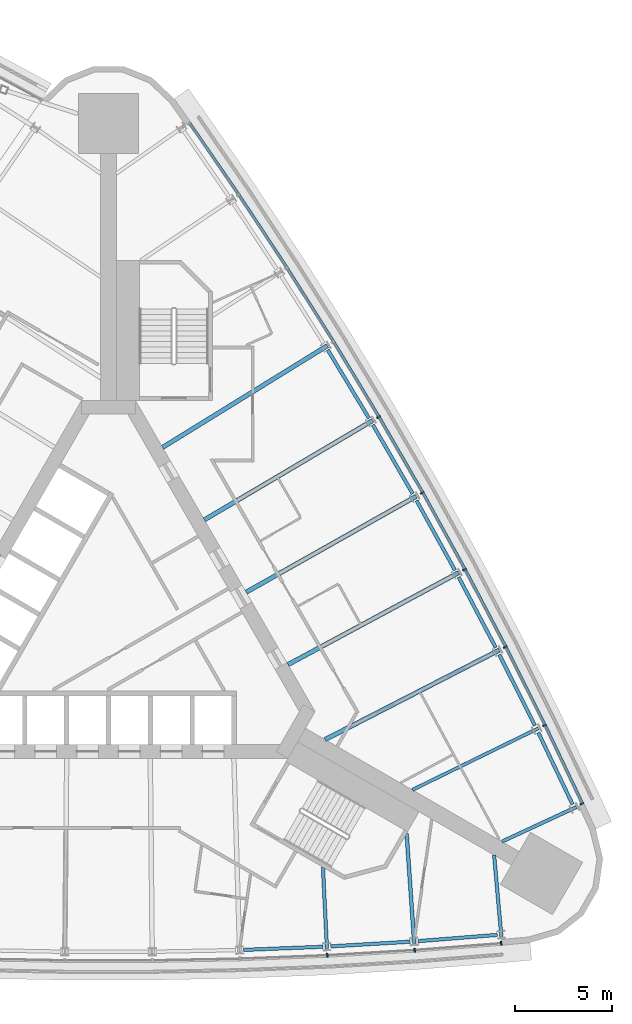
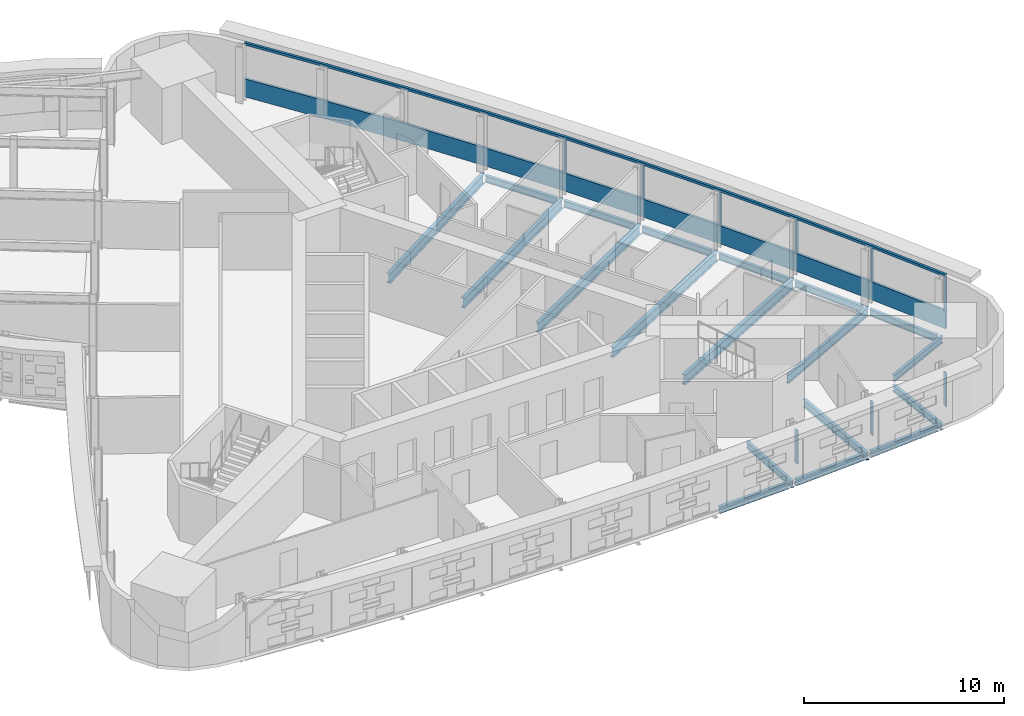
# One storey, part 7 of 17: 19 beams, 11 members, 2 elements without a shape of their own.
"""IFC4 building model written with IfcOpenShell, lengths in metres."""

from ifc_helpers import new_model, si_unit, direction, frame, origin, origin_2d, place, context, subcontext, project, spatial, polyline, rectangle, i_section, outline, extrude, material, material_profile, profile_set, type_object, element, aggregate, save


model = new_model("IFC4")

# Units and contexts
model_context = context("Model", 3, precision=1e-05, world=origin(), true_north=direction((0.0, 1.0)))
body_context = subcontext(model_context, "Body", "Model", "MODEL_VIEW")
ifc_project = project(units=[si_unit("LENGTHUNIT", "METRE"), si_unit("AREAUNIT", "SQUARE_METRE"), si_unit("VOLUMEUNIT", "CUBIC_METRE"), si_unit("PLANEANGLEUNIT", "RADIAN"), si_unit("MASSUNIT", "GRAM", prefix="KILO")], contexts=[model_context])

# Site, building, storey
site_placement = place(None, origin())
site = spatial("IfcSite", under=ifc_project, at=site_placement, CompositionType="ELEMENT")
building_placement = place(site_placement, origin())
building = spatial("IfcBuilding", under=site, at=building_placement, Name="Noor Cloister Tower", CompositionType="ELEMENT")
storey_placement = place(building_placement, frame((0.0, 0.0, 102.300048828125)))
storey = spatial("IfcBuildingStorey", under=building, at=storey_placement, Name="L26", CompositionType="ELEMENT", Elevation=102.300048828125)

# Curtain wall, member
ifc_material_1 = material(Name="Aluminium 6063-T6 anodised", Category="aluminium")
curtain_wall_type = type_object("IfcCurtainWallType", Name="Ribbon curtain wall, lower tower CW1", PredefinedType="NOTDEFINED", material=ifc_material_1)
curtain_wall_1_placement = place(storey_placement, origin())
curtain_wall_1 = element("IfcCurtainWall", 1, at=curtain_wall_1_placement, inside=storey, type_object=curtain_wall_type, Name="CW1 L26 NE run 4", PredefinedType="NOTDEFINED")
ifc_material_2 = material(Name="Aluminium 6063-T6 anodised", Category="aluminium")
member_type_1 = type_object("IfcMemberType", Name="Head transom CW1 150", PredefinedType="USERDEFINED", material=ifc_material_2)
member_1_placement = place(storey_placement, frame((0.0, 0.0, 3.14990234375)))
member_1 = element("IfcMember", 2, at=member_1_placement, type_object=member_type_1, Name="CW1 head transom", ObjectType="TRANSOM", PredefinedType="USERDEFINED", context=body_context, shape_type="SweptSolid", body=[
    extrude(outline(polyline([(24.42822265625, -9.24853515625), (22.49169921875, -5.1865234375), (20.475830078125, -1.16357421875), (18.380859375, 2.819091796875), (16.2080078125, 6.759765625), (13.9580078125, 10.65673828125), (11.6318359375, 14.5087890625), (9.230224609375, 18.314208984375), (6.754150390625, 22.07177734375), (4.204833984375, 25.77978515625), (4.08935546875, 25.700439453125), (6.63818359375, 21.993408203125), (9.112548828125, 18.23828125), (11.5126953125, 14.435302734375), (13.83740234375, 10.58544921875), (16.086181640625, 6.69091796875), (18.257568359375, 2.752685546875), (20.35107421875, -1.2275390625), (22.365966796875, -5.248046875), (24.302001953125, -9.30859375), (24.42822265625, -9.24853515625)])), origin(), (0.0, 0.0, 1.0), 0.150146484375),
])

# Curtain wall, members
curtain_wall_2_placement = place(storey_placement, origin())
curtain_wall_2 = element("IfcCurtainWall", 3, at=curtain_wall_2_placement, inside=storey, type_object=curtain_wall_type, Name="CW1 L26 S run 3", PredefinedType="NOTDEFINED")
ifc_material_3 = material(Name="Aluminium 6063-T6 anodised", Category="aluminium")
ifc_material_profile_1 = material_profile(ifc_material_3, rectangle(XDim=0.199951171875, YDim=0.080078125, at=origin_2d()), Name="200 x 80 mullion")
ifc_profile_set_1 = profile_set([ifc_material_profile_1], Name="Aluminium 6063-T6 anodised")
member_type_2 = type_object("IfcMemberType", Name="Mullion CW1 80 x 200", PredefinedType="MULLION", material=ifc_profile_set_1)
member_2_placement = place(storey_placement, frame((11.240478515625, -17.05078125, 1.099853515625), z_axis=(0.0, 0.0, 1.0), x_axis=(-0.049188322705, 0.998789521826, 0.0)))
member_2 = element("IfcMember", 4, at=member_2_placement, type_object=member_type_2, Name="CW1 mullion 8", PredefinedType="MULLION", context=body_context, shape_type="SweptSolid", body=[
    extrude(rectangle(XDim=0.199951171875, YDim=0.080078125, at=origin_2d()), origin(), (0.0, 0.0, 1.0), 2.050048828125),
])
member_3_placement = place(storey_placement, frame((15.730712890625, -16.785400390625, 1.099853515625), z_axis=(0.0, 0.0, 1.0), x_axis=(-0.068836981101, 0.997627921639, 0.0)))
member_3 = element("IfcMember", 5, at=member_3_placement, type_object=member_type_2, Name="CW1 mullion 9", PredefinedType="MULLION", context=body_context, shape_type="SweptSolid", body=[
    extrude(rectangle(XDim=0.199951171875, YDim=0.080078125, at=origin_2d()), origin(), (0.0, 0.0, 1.0), 2.050048828125),
])
member_4_placement = place(storey_placement, frame((20.17578125, -16.434814453125, 1.099853515625), z_axis=(0.0, 0.0, 1.0), x_axis=(-0.078651776212, 0.996902150714, 0.0)))
member_4 = element("IfcMember", 6, at=member_4_placement, type_object=member_type_2, Name="CW1 mullion 10", PredefinedType="MULLION", context=body_context, shape_type="SweptSolid", body=[
    extrude(rectangle(XDim=0.199951171875, YDim=0.080078125, at=origin_2d()), origin(), (0.0, 0.0, 1.0), 2.050048828125),
])
aggregate(curtain_wall_2, [member_2, member_3, member_4])

# Member
member_5_placement = place(storey_placement, frame((24.32080078125, -9.25537109375, 1.099853515625), z_axis=(0.0, 0.0, 1.0), x_axis=(-0.902668475712, -0.430336639105, 0.0)))
member_5 = element("IfcMember", 7, at=member_5_placement, type_object=member_type_2, Name="CW1 mullion 1", PredefinedType="MULLION", context=body_context, shape_type="SweptSolid", body=[
    extrude(rectangle(XDim=0.199951171875, YDim=0.080078125, at=origin_2d()), origin(), (0.0, 0.0, 1.0), 2.050048828125),
])

member_6_placement = place(storey_placement, frame((22.40185546875, -5.23046875, 1.099853515625), z_axis=(0.0, 0.0, 1.0), x_axis=(-0.898389614214, -0.439199386466, 0.0)))
member_6 = element("IfcMember", 8, at=member_6_placement, type_object=member_type_2, Name="CW1 mullion 2", PredefinedType="MULLION", context=body_context, shape_type="SweptSolid", body=[
    extrude(rectangle(XDim=0.199951171875, YDim=0.080078125, at=origin_2d()), origin(), (0.0, 0.0, 1.0), 2.050048828125),
])

member_7_placement = place(storey_placement, frame((20.38671875, -1.209228515625, 1.099853515625), z_axis=(0.0, 0.0, 1.0), x_axis=(-0.889571260287, -0.456796423881, 0.0)))
member_7 = element("IfcMember", 9, at=member_7_placement, type_object=member_type_2, Name="CW1 mullion 3", PredefinedType="MULLION", context=body_context, shape_type="SweptSolid", body=[
    extrude(rectangle(XDim=0.199951171875, YDim=0.080078125, at=origin_2d()), origin(), (0.0, 0.0, 1.0), 2.050048828125),
])

member_8_placement = place(storey_placement, frame((18.292724609375, 2.771728515625, 1.099853515625), z_axis=(0.0, 0.0, 1.0), x_axis=(-0.880408277748, -0.474216474275, 0.0)))
member_8 = element("IfcMember", 10, at=member_8_placement, type_object=member_type_2, Name="CW1 mullion 4", PredefinedType="MULLION", context=body_context, shape_type="SweptSolid", body=[
    extrude(rectangle(XDim=0.199951171875, YDim=0.080078125, at=origin_2d()), origin(), (0.0, 0.0, 1.0), 2.050048828125),
])

member_9_placement = place(storey_placement, frame((16.120849609375, 6.71044921875, 1.099853515625), z_axis=(0.0, 0.0, 1.0), x_axis=(-0.87090420026, -0.491452819678, 0.0)))
member_9 = element("IfcMember", 11, at=member_9_placement, type_object=member_type_2, Name="CW1 mullion 5", PredefinedType="MULLION", context=body_context, shape_type="SweptSolid", body=[
    extrude(rectangle(XDim=0.199951171875, YDim=0.080078125, at=origin_2d()), origin(), (0.0, 0.0, 1.0), 2.050048828125),
])

member_10_placement = place(storey_placement, frame((13.8720703125, 10.60595703125, 1.099853515625), z_axis=(0.0, 0.0, 1.0), x_axis=(-0.861062726733, -0.508498751848, 0.0)))
member_10 = element("IfcMember", 12, at=member_10_placement, type_object=member_type_2, Name="CW1 mullion 6", PredefinedType="MULLION", context=body_context, shape_type="SweptSolid", body=[
    extrude(rectangle(XDim=0.199951171875, YDim=0.080078125, at=origin_2d()), origin(), (0.0, 0.0, 1.0), 2.050048828125),
])

# Beams
ifc_material_4 = material(Name="Steel ASTM A992 Gr 50", Category="steel")
ifc_material_profile_2 = material_profile(ifc_material_4, i_section(OverallWidth=0.177978515625, OverallDepth=0.406005859375, WebThickness=0.0078125, FlangeThickness=0.0126953125, FilletRadius=0.01025390625, at=origin_2d()), Name="W410x60")
ifc_profile_set_2 = profile_set([ifc_material_profile_2], Name="Steel ASTM A992 Gr 50")
beam_type_1 = type_object("IfcBeamType", Name="Radial beam W410x60", PredefinedType="BEAM", material=ifc_profile_set_2)
beam_1_placement = place(storey_placement, frame((11.223388671875, -16.701904296875, -0.403076171875), z_axis=(-0.049178201451, 0.998790020225, 0.0), x_axis=(-0.998790020225, -0.049178201451, 0.0)))
element("IfcBeam", 13, at=beam_1_placement, inside=storey, type_object=beam_type_1, Name="Radial beam S 08 L26", PredefinedType="BEAM", context=body_context, shape_type="SweptSolid", body=[
    extrude(i_section(OverallWidth=0.177978515625, OverallDepth=0.406005859375, WebThickness=0.0078125, FlangeThickness=0.0126953125, FilletRadius=0.01025390625, at=origin_2d()), origin(), (0.0, 0.0, 1.0), 4.18505859375),
])
beam_2_placement = place(storey_placement, frame((20.183837890625, -16.08349609375, -0.403076171875), z_axis=(-0.088480829531, 0.99607787989, 0.0), x_axis=(-0.99607787989, -0.088480829531, 0.0)))
element("IfcBeam", 14, at=beam_2_placement, inside=storey, type_object=beam_type_1, Name="Radial beam S 10 L26", PredefinedType="BEAM", context=body_context, shape_type="SweptSolid", body=[
    extrude(i_section(OverallWidth=0.177978515625, OverallDepth=0.406005859375, WebThickness=0.0078125, FlangeThickness=0.0126953125, FilletRadius=0.01025390625, at=origin_2d()), origin(), (0.0, 0.0, 1.0), 4.199462890625),
])
beam_3_placement = place(storey_placement, frame((24.0205078125, -9.43798828125, -0.403076171875), z_axis=(-0.906851874526, -0.421449495989, 0.0), x_axis=(0.421449495989, -0.906851874526, 0.0)))
element("IfcBeam", 15, at=beam_3_placement, inside=storey, type_object=beam_type_1, Name="Radial beam NE 01 L26", PredefinedType="BEAM", context=body_context, shape_type="SweptSolid", body=[
    extrude(i_section(OverallWidth=0.177978515625, OverallDepth=0.406005859375, WebThickness=0.0078125, FlangeThickness=0.0126953125, FilletRadius=0.01025390625, at=origin_2d()), origin(), (0.0, 0.0, 1.0), 4.19921875),
])
ifc_material_5 = material(Name="Steel ASTM A992 Gr 50", Category="steel")
ifc_material_profile_3 = material_profile(ifc_material_5, i_section(OverallWidth=0.19091796875, OverallDepth=0.45703125, WebThickness=0.009033203125, FlangeThickness=0.014404296875, FilletRadius=0.01025390625, at=origin_2d()), Name="W460x74")
ifc_profile_set_3 = profile_set([ifc_material_profile_3], Name="Steel ASTM A992 Gr 50")
beam_type_2 = type_object("IfcBeamType", Name="Radial beam W460x74", PredefinedType="BEAM", material=ifc_profile_set_3)
beam_4_placement = place(storey_placement, frame((15.70654296875, -16.436767578125, -0.428466796875), z_axis=(-0.068806527571, 0.997630022485, 0.0), x_axis=(-0.997630022485, -0.068806527571, 0.0)))
element("IfcBeam", 16, at=beam_4_placement, inside=storey, type_object=beam_type_2, Name="Radial beam S 09 L26", PredefinedType="BEAM", context=body_context, shape_type="SweptSolid", body=[
    extrude(i_section(OverallWidth=0.19091796875, OverallDepth=0.45703125, WebThickness=0.009033203125, FlangeThickness=0.014404296875, FilletRadius=0.01025390625, at=origin_2d()), origin(), (0.0, 0.0, 1.0), 5.66650390625),
])
ifc_material_6 = material(Name="Steel ASTM A992 Gr 50", Category="steel")
ifc_material_profile_4 = material_profile(ifc_material_6, i_section(OverallWidth=0.166015625, OverallDepth=0.528076171875, WebThickness=0.009765625, FlangeThickness=0.013671875, FilletRadius=0.0126953125, at=origin_2d()), Name="W530x74")
ifc_profile_set_4 = profile_set([ifc_material_profile_4], Name="Steel ASTM A992 Gr 50")
beam_type_3 = type_object("IfcBeamType", Name="Radial beam W530x74", PredefinedType="BEAM", material=ifc_profile_set_4)
beam_5_placement = place(storey_placement, frame((22.087890625, -5.384033203125, -0.464111328125), z_axis=(-0.898387033035, -0.439204666271, 0.0), x_axis=(0.439204666271, -0.898387033035, 0.0)))
element("IfcBeam", 17, at=beam_5_placement, inside=storey, type_object=beam_type_3, Name="Radial beam NE 02 L26", PredefinedType="BEAM", context=body_context, shape_type="SweptSolid", body=[
    extrude(i_section(OverallWidth=0.166015625, OverallDepth=0.528076171875, WebThickness=0.009765625, FlangeThickness=0.013671875, FilletRadius=0.0126953125, at=origin_2d()), origin(), (0.0, 0.0, 1.0), 7.210205078125),
])
ifc_material_7 = material(Name="Steel ASTM A992 Gr 50", Category="steel")
ifc_material_profile_5 = material_profile(ifc_material_7, i_section(OverallWidth=0.22802734375, OverallDepth=0.60205078125, WebThickness=0.010498046875, FlangeThickness=0.014892578125, FilletRadius=0.0126953125, at=origin_2d()), Name="W610x101")
ifc_profile_set_5 = profile_set([ifc_material_profile_5], Name="Steel ASTM A992 Gr 50")
beam_type_4 = type_object("IfcBeamType", Name="Radial beam W610x101", PredefinedType="BEAM", material=ifc_profile_set_5)
beam_6_placement = place(storey_placement, frame((20.075927734375, -1.368896484375, -0.5009765625), z_axis=(-0.889579280907, -0.456780804085, 0.0), x_axis=(0.456780804085, -0.889579280907, 0.0)))
element("IfcBeam", 18, at=beam_6_placement, inside=storey, type_object=beam_type_4, Name="Radial beam NE 03 L26", PredefinedType="BEAM", context=body_context, shape_type="SweptSolid", body=[
    extrude(i_section(OverallWidth=0.22802734375, OverallDepth=0.60205078125, WebThickness=0.010498046875, FlangeThickness=0.014892578125, FilletRadius=0.0126953125, at=origin_2d()), origin(), (0.0, 0.0, 1.0), 10.057861328125),
])
beam_7_placement = place(storey_placement, frame((17.985107421875, 2.60595703125, -0.5009765625), z_axis=(-0.880406516163, -0.474219744736, 0.0), x_axis=(0.474219744736, -0.880406516163, 0.0)))
element("IfcBeam", 19, at=beam_7_placement, inside=storey, type_object=beam_type_4, Name="Radial beam NE 04 L26", PredefinedType="BEAM", context=body_context, shape_type="SweptSolid", body=[
    extrude(i_section(OverallWidth=0.22802734375, OverallDepth=0.60205078125, WebThickness=0.010498046875, FlangeThickness=0.014892578125, FilletRadius=0.0126953125, at=origin_2d()), origin(), (0.0, 0.0, 1.0), 9.95458984375),
])
for number, where, z_axis, x_axis, name in (
    (20, (15.816650390625, 6.538818359375, -0.5009765625), (-0.870901874431, -0.491456941259, 0.0), (0.491456941259, -0.870901874431, 0.0), "Radial beam NE 05 L26"),
    (21, (13.571044921875, 10.42822265625, -0.5009765625), (-0.86106399039, -0.508496612038, 0.0), (0.508496612038, -0.86106399039, 0.0), "Radial beam NE 06 L26"),
):
    element("IfcBeam", number, at=place(storey_placement, frame(where, z_axis=z_axis, x_axis=x_axis)), inside=storey, type_object=beam_type_4, Name=name, PredefinedType="BEAM", context=body_context, shape_type="SweptSolid", body=[
        extrude(i_section(OverallWidth=0.22802734375, OverallDepth=0.60205078125, WebThickness=0.010498046875, FlangeThickness=0.014892578125, FilletRadius=0.0126953125, at=origin_2d()), origin(), (0.0, 0.0, 1.0), 10.039306640625),
    ])
beam_8_placement = place(storey_placement, frame((11.249267578125, 14.272705078125, -0.5009765625), z_axis=(-0.850881836439, -0.525357117034, 0.0), x_axis=(0.525357117034, -0.850881836439, 0.0)))
element("IfcBeam", 22, at=beam_8_placement, inside=storey, type_object=beam_type_4, Name="Radial beam NE 07 L26", PredefinedType="BEAM", context=body_context, shape_type="SweptSolid", body=[
    extrude(i_section(OverallWidth=0.22802734375, OverallDepth=0.60205078125, WebThickness=0.010498046875, FlangeThickness=0.014892578125, FilletRadius=0.0126953125, at=origin_2d()), origin(), (0.0, 0.0, 1.0), 9.95458984375),
])

# Member
ifc_material_8 = material(Name="Aluminium 6063-T6 anodised", Category="aluminium")
member_type_3 = type_object("IfcMemberType", Name="Sill transom CW1 1100", PredefinedType="USERDEFINED", material=ifc_material_8)
member_11_placement = place(storey_placement, origin())
member_11 = element("IfcMember", 23, at=member_11_placement, type_object=member_type_3, Name="CW1 sill transom", ObjectType="TRANSOM", PredefinedType="USERDEFINED", context=body_context, shape_type="SweptSolid", body=[
    extrude(outline(polyline([(24.42822265625, -9.24853515625), (22.49169921875, -5.1865234375), (20.475830078125, -1.16357421875), (18.380859375, 2.819091796875), (16.2080078125, 6.759765625), (13.9580078125, 10.65673828125), (11.6318359375, 14.5087890625), (9.230224609375, 18.314208984375), (6.754150390625, 22.07177734375), (4.204833984375, 25.77978515625), (4.08935546875, 25.700439453125), (6.63818359375, 21.993408203125), (9.112548828125, 18.23828125), (11.5126953125, 14.435302734375), (13.83740234375, 10.58544921875), (16.086181640625, 6.69091796875), (18.257568359375, 2.752685546875), (20.35107421875, -1.2275390625), (22.365966796875, -5.248046875), (24.302001953125, -9.30859375), (24.42822265625, -9.24853515625)])), origin(), (0.0, 0.0, 1.0), 1.099853515625),
])

aggregate(curtain_wall_1, [member_5, member_6, member_7, member_8, member_9, member_10, member_11, member_1])

# Beams
ifc_material_9 = material(Name="Steel ASTM A992 Gr 50", Category="steel")
ifc_material_profile_6 = material_profile(ifc_material_9, i_section(OverallWidth=0.177978515625, OverallDepth=0.406005859375, WebThickness=0.0078125, FlangeThickness=0.0126953125, FilletRadius=0.01025390625, at=origin_2d()), Name="W410x60")
ifc_profile_set_6 = profile_set([ifc_material_profile_6], Name="Steel ASTM A992 Gr 50")
beam_type_5 = type_object("IfcBeamType", Name="Spandrel beam W410x60", PredefinedType="SPANDREL", material=ifc_profile_set_6)
for number, where, z_axis, x_axis, name in (
    (24, (6.93310546875, -16.770263671875, -0.403076171875), (0.999225288123, 0.039355095916, 0.0), (-0.039355095916, 0.999225288123, 0.0), "Spandrel beam S 07 L26"),
    (25, (11.41845703125, -16.589599609375, -0.403076171875), (0.998257859765, 0.059002079771, 0.0), (-0.059002079771, 0.998257859765, 0.0), "Spandrel beam S 08 L26"),
    (26, (15.899658203125, -16.32080078125, -0.403076171875), (0.996902216322, 0.078650944641, 0.0), (-0.078650944641, 0.996902216322, 0.0), "Spandrel beam S 09 L26"),
    (27, (23.84326171875, -9.29931640625, -0.403076171875), (-0.430341530423, 0.902666143817, 0.0), (-0.902666143817, -0.430341530423, 0.0), "Spandrel beam NE 01 L26"),
    (28, (21.90771484375, -5.248779296875, -0.403076171875), (-0.448025614309, 0.894020720634, 0.0), (-0.894020720634, -0.448025614309, 0.0), "Spandrel beam NE 02 L26"),
    (29, (19.89306640625, -1.2373046875, -0.403076171875), (-0.465512591223, 0.885041257464, 0.0), (-0.885041257464, -0.465512591223, 0.0), "Spandrel beam NE 03 L26"),
):
    element("IfcBeam", number, at=place(storey_placement, frame(where, z_axis=z_axis, x_axis=x_axis)), inside=storey, type_object=beam_type_5, Name=name, PredefinedType="SPANDREL", context=body_context, shape_type="SweptSolid", body=[
        extrude(i_section(OverallWidth=0.177978515625, OverallDepth=0.406005859375, WebThickness=0.0078125, FlangeThickness=0.0126953125, FilletRadius=0.01025390625, at=origin_2d()), origin(), (0.0, 0.0, 1.0), 4.088134765625),
    ])
beam_9_placement = place(storey_placement, frame((17.7998046875, 2.73388671875, -0.403076171875), z_axis=(-0.482851559561, 0.875702216184, 0.0), x_axis=(-0.875702216184, -0.482851559561, 0.0)))
element("IfcBeam", 30, at=beam_9_placement, inside=storey, type_object=beam_type_5, Name="Spandrel beam NE 04 L26", PredefinedType="SPANDREL", context=body_context, shape_type="SweptSolid", body=[
    extrude(i_section(OverallWidth=0.177978515625, OverallDepth=0.406005859375, WebThickness=0.0078125, FlangeThickness=0.0126953125, FilletRadius=0.01025390625, at=origin_2d()), origin(), (0.0, 0.0, 1.0), 4.087890625),
])
for number, where, z_axis, x_axis, name in (
    (31, (15.62890625, 6.6630859375, -0.403076171875), (-0.500037791097, 0.866003583985, 0.0), (-0.866003583985, -0.500037791097, 0.0), "Spandrel beam NE 05 L26"),
    (32, (13.380859375, 10.548583984375, -0.403076171875), (-0.516935158604, 0.856024556773, 0.0), (-0.856024556773, -0.516935158604, 0.0), "Spandrel beam NE 06 L26"),
):
    element("IfcBeam", number, at=place(storey_placement, frame(where, z_axis=z_axis, x_axis=x_axis)), inside=storey, type_object=beam_type_5, Name=name, PredefinedType="SPANDREL", context=body_context, shape_type="SweptSolid", body=[
        extrude(i_section(OverallWidth=0.177978515625, OverallDepth=0.406005859375, WebThickness=0.0078125, FlangeThickness=0.0126953125, FilletRadius=0.01025390625, at=origin_2d()), origin(), (0.0, 0.0, 1.0), 4.088134765625),
    ])

save(model, "model.ifc")
